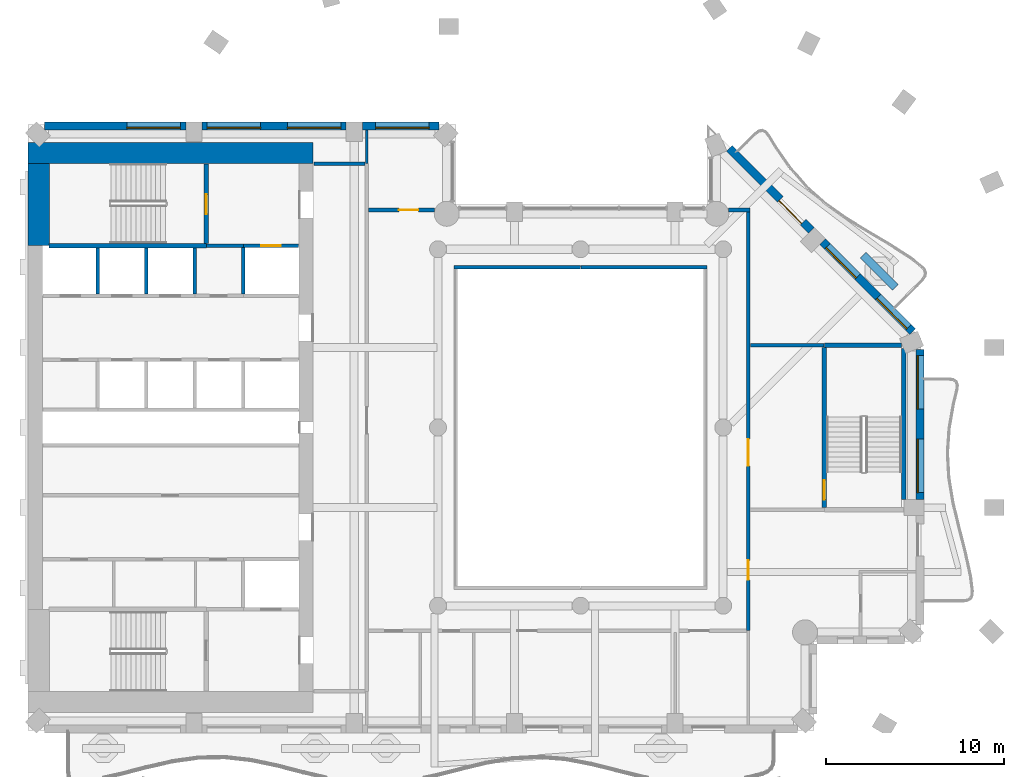
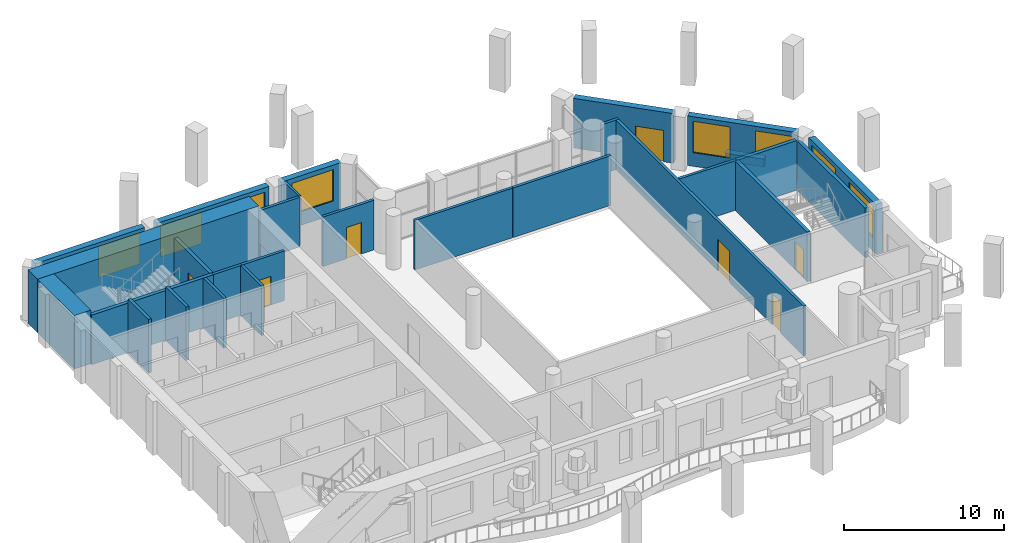
# One storey, part 6 of 14: 28 walls, 8 windows, 7 doors, 15 openings.
"""IFC4 building model written with IfcOpenShell, lengths in metres."""

from ifc_helpers import new_model, si_unit, direction, frame, frame_2d, origin, place, context, subcontext, project, spatial, rectangle, extrude, material, layer, layer_set, type_object, element, fill, save


model = new_model("IFC4")

# Units and contexts
model_context = context("Model", 3, precision=1e-05, world=origin(), true_north=direction((0.0, 1.0)))
body_context = subcontext(model_context, "Body", "Model", "MODEL_VIEW")
ifc_project = project(units=[si_unit("LENGTHUNIT", "METRE"), si_unit("AREAUNIT", "SQUARE_METRE"), si_unit("VOLUMEUNIT", "CUBIC_METRE"), si_unit("PLANEANGLEUNIT", "RADIAN"), si_unit("MASSUNIT", "GRAM", prefix="KILO")], contexts=[model_context])

# Site, building, storey
site_placement = place(None, origin())
site = spatial("IfcSite", under=ifc_project, at=site_placement, CompositionType="ELEMENT")
building_placement = place(site_placement, origin())
building = spatial("IfcBuilding", under=site, at=building_placement, Name="Cypress Arch Tower", CompositionType="ELEMENT")
storey_placement = place(building_placement, frame((0.0, 0.0, 222.0)))
storey = spatial("IfcBuildingStorey", under=building, at=storey_placement, Name="L49", CompositionType="ELEMENT", Elevation=222.0)

# Wall
ifc_material_1 = material(Name="Concrete C40/50, waterproofed", Category="concrete")
ifc_layer_1 = layer(ifc_material_1, 0.449951171875)
ifc_layer_set_1 = layer_set([ifc_layer_1], Name="Balcony planter wall PW450")
wall_type_1 = type_object("IfcWallType", Name="Balcony planter wall PW450", PredefinedType="SOLIDWALL", material=ifc_layer_set_1)
wall_1_placement = place(storey_placement, frame((18.650390625, 7.86376953125, 0.0), z_axis=(0.0, 0.0, 1.0), x_axis=(-0.707059037574, 0.707154521576, 0.0)))
element("IfcWall", 1, at=wall_1_placement, inside=storey, type_object=wall_type_1, Name="Balcony planter wall L49-B05.1", PredefinedType="SOLIDWALL", context=body_context, shape_type="SweptSolid", body=[
    extrude(rectangle(XDim=2.556884765625, YDim=0.449951171875, at=frame_2d((1.2783203125, 0.0))), origin(), (0.0, 0.0, 1.0), 0.60009765625),
])

# Wall, openings, windows
ifc_material_2 = material(Name="Brick (red buff blend)", Category="masonry")
ifc_layer_2 = layer(ifc_material_2, 0.449951171875)
ifc_layer_set_2 = layer_set([ifc_layer_2], Name="Brick pier and spandrel wall BW450")
wall_type_2 = type_object("IfcWallType", Name="Brick pier and spandrel wall BW450", PredefinedType="SOLIDWALL", material=ifc_layer_set_2)
wall_2_placement = place(storey_placement, frame((20.02490234375, -4.050048828125, 0.0), z_axis=(0.0, 0.0, 1.0), x_axis=(0.0, 1.0, 0.0)))
wall_2 = element("IfcWall", 2, at=wall_2_placement, inside=storey, type_object=wall_type_2, Name="Brick wall L49 B04.1", PredefinedType="SOLIDWALL", context=body_context, shape_type="SweptSolid", body=[
    extrude(rectangle(XDim=8.438720703125, YDim=0.449951171875, at=frame_2d((4.21923828125, 0.0))), origin(), (0.0, 0.0, 1.0), 3.800048828125),
])
opening_1_placement = place(wall_2_placement, frame((0.39404296875, 0.0, 1.050048828125)))
opening_1 = element("IfcOpeningElement", 3, at=opening_1_placement, cuts=wall_2, Name="Opening W300OD", PredefinedType="OPENING", context=body_context, shape_type="SweptSolid", body=[
    extrude(rectangle(XDim=3.0, YDim=2.39990234375, at=frame_2d((1.5, 1.199951171875))), frame((0.0, 0.23486328125, 0.0), z_axis=(0.0, -1.0, 0.0), x_axis=(1.0, 0.0, 0.0)), (0.0, 0.0, 1.0), 0.469970703125),
])
opening_2_placement = place(wall_2_placement, frame((5.081787109375, 0.0, 1.050048828125)))
opening_2 = element("IfcOpeningElement", 4, at=opening_2_placement, cuts=wall_2, Name="Opening W300OD", PredefinedType="OPENING", context=body_context, shape_type="SweptSolid", body=[
    extrude(rectangle(XDim=3.0, YDim=2.39990234375, at=frame_2d((1.5, 1.199951171875))), frame((0.0, 0.23486328125, 0.0), z_axis=(0.0, -1.0, 0.0), x_axis=(1.0, 0.0, 0.0)), (0.0, 0.0, 1.0), 0.469970703125),
])
ifc_material_3 = material(Name="Anodised aluminium, bronze finish, laminated low-emissivity double glazing, large-missile impact rated", Category="aluminium")
window_type_1 = type_object("IfcWindowType", Name="Window Office 3000x2400 debris-rated", PartitioningType="SINGLE_PANEL", PredefinedType="WINDOW", material=ifc_material_3)
window_1_placement = place(opening_1_placement, origin())
window_1 = element("IfcWindow", 5, at=window_1_placement, inside=storey, type_object=window_type_1, Name="Window L49 B04.1.1", OverallHeight=2.39990234375, OverallWidth=3.0, PartitioningType="SINGLE_PANEL", PredefinedType="WINDOW", context=body_context, shape_type="SweptSolid", body=[
    extrude(rectangle(XDim=3.0, YDim=2.39990234375, at=frame_2d((1.5, 1.199951171875))), frame((0.0, 0.135009765625, 0.0), z_axis=(0.0, -1.0, 0.0), x_axis=(1.0, 0.0, 0.0)), (0.0, 0.0, 1.0), 0.06005859375),
])
fill(opening_1, window_1)
window_2_placement = place(opening_2_placement, origin())
window_2 = element("IfcWindow", 6, at=window_2_placement, inside=storey, type_object=window_type_1, Name="Window L49 B04.1.2", OverallHeight=2.39990234375, OverallWidth=3.0, PartitioningType="SINGLE_PANEL", PredefinedType="WINDOW", context=body_context, shape_type="SweptSolid", body=[
    extrude(rectangle(XDim=3.0, YDim=2.39990234375, at=frame_2d((1.5, 1.199951171875))), frame((0.0, 0.135009765625, 0.0), z_axis=(0.0, -1.0, 0.0), x_axis=(1.0, 0.0, 0.0)), (0.0, 0.0, 1.0), 0.06005859375),
])
fill(opening_2, window_2)

wall_3_placement = place(storey_placement, frame((19.61474609375, 5.379150390625, 0.0), z_axis=(0.0, 0.0, 1.0), x_axis=(-0.707089646058, 0.7071239159, 0.0)))
wall_3 = element("IfcWall", 7, at=wall_3_placement, inside=storey, type_object=wall_type_2, Name="Brick wall L49 B05.0", PredefinedType="SOLIDWALL", context=body_context, shape_type="SweptSolid", body=[
    extrude(rectangle(XDim=7.1240234375, YDim=0.449951171875, at=frame_2d((3.56201171875, 0.0))), origin(), (0.0, 0.0, 1.0), 3.800048828125),
])
opening_3_placement = place(wall_3_placement, frame((0.328125, 0.0, 1.050048828125)))
opening_3 = element("IfcOpeningElement", 8, at=opening_3_placement, cuts=wall_3, Name="Opening W240OD", PredefinedType="OPENING", context=body_context, shape_type="SweptSolid", body=[
    extrude(rectangle(XDim=2.39990234375, YDim=2.39990234375, at=frame_2d((1.199951171875, 1.199951171875))), frame((0.0, 0.23486328125, 0.0), z_axis=(0.0, -1.0, 0.0), x_axis=(1.0, 0.0, 0.0)), (0.0, 0.0, 1.0), 0.469970703125),
])
opening_4_placement = place(wall_3_placement, frame((4.358642578125, 0.0, 1.050048828125)))
opening_4 = element("IfcOpeningElement", 9, at=opening_4_placement, cuts=wall_3, Name="Opening W240OD", PredefinedType="OPENING", context=body_context, shape_type="SweptSolid", body=[
    extrude(rectangle(XDim=2.39990234375, YDim=2.39990234375, at=frame_2d((1.199951171875, 1.199951171875))), frame((0.0, 0.23486328125, 0.0), z_axis=(0.0, -1.0, 0.0), x_axis=(1.0, 0.0, 0.0)), (0.0, 0.0, 1.0), 0.469970703125),
])
ifc_material_4 = material(Name="Anodised aluminium, bronze finish, laminated low-emissivity double glazing, large-missile impact rated", Category="aluminium")
window_type_2 = type_object("IfcWindowType", Name="Window Office 2400x2400 debris-rated", PartitioningType="SINGLE_PANEL", PredefinedType="WINDOW", material=ifc_material_4)
window_3_placement = place(opening_3_placement, origin())
window_3 = element("IfcWindow", 10, at=window_3_placement, inside=storey, type_object=window_type_2, Name="Window L49 B05.0.1", OverallHeight=2.39990234375, OverallWidth=2.39990234375, PartitioningType="SINGLE_PANEL", PredefinedType="WINDOW", context=body_context, shape_type="SweptSolid", body=[
    extrude(rectangle(XDim=2.39990234375, YDim=2.39990234375, at=frame_2d((1.199951171875, 1.199951171875))), frame((0.0, 0.135009765625, 0.0), z_axis=(0.0, -1.0, 0.0), x_axis=(1.0, 0.0, 0.0)), (0.0, 0.0, 1.0), 0.06005859375),
])
fill(opening_3, window_3)
window_4_placement = place(opening_4_placement, origin())
window_4 = element("IfcWindow", 11, at=window_4_placement, inside=storey, type_object=window_type_2, Name="Window L49 B05.0.2", OverallHeight=2.39990234375, OverallWidth=2.39990234375, PartitioningType="SINGLE_PANEL", PredefinedType="WINDOW", context=body_context, shape_type="SweptSolid", body=[
    extrude(rectangle(XDim=2.39990234375, YDim=2.39990234375, at=frame_2d((1.199951171875, 1.199951171875))), frame((0.0, 0.135009765625, 0.0), z_axis=(0.0, -1.0, 0.0), x_axis=(1.0, 0.0, 0.0)), (0.0, 0.0, 1.0), 0.06005859375),
])
fill(opening_4, window_4)

# Wall, opening, door
wall_4_placement = place(storey_placement, frame((13.94091796875, 11.052978515625, 0.0), z_axis=(0.0, 0.0, 1.0), x_axis=(-0.707106781187, 0.707106781187, 0.0)))
wall_4 = element("IfcWall", 12, at=wall_4_placement, inside=storey, type_object=wall_type_2, Name="Brick wall L49 B05.1", PredefinedType="SOLIDWALL", context=body_context, shape_type="SweptSolid", body=[
    extrude(rectangle(XDim=6.505126953125, YDim=0.449951171875, at=frame_2d((3.25244140625, 0.0))), origin(), (0.0, 0.0, 1.0), 3.800048828125),
])
opening_5_placement = place(wall_4_placement, frame((0.665283203125, 0.0, 0.0)))
opening_5 = element("IfcOpeningElement", 13, at=opening_5_placement, cuts=wall_4, Name="Opening D-L49-B05.1.1", PredefinedType="OPENING", context=body_context, shape_type="SweptSolid", body=[
    extrude(rectangle(XDim=1.800048828125, YDim=2.39990234375, at=frame_2d((0.89990234375, 1.199951171875))), frame((0.0, 0.23486328125, 0.0), z_axis=(0.0, -1.0, 0.0), x_axis=(1.0, 0.0, 0.0)), (0.0, 0.0, 1.0), 0.469970703125),
])
ifc_material_5 = material(Name="Anodised aluminium, bronze finish, laminated low-emissivity double glazing, large-missile impact rated", Category="aluminium")
door_type_1 = type_object("IfcDoorType", Name="Balcony sliding door 1800x2400", OperationType="SLIDING_TO_LEFT", PredefinedType="DOOR", material=ifc_material_5)
door_1_placement = place(opening_5_placement, origin())
door_1 = element("IfcDoor", 14, at=door_1_placement, inside=storey, type_object=door_type_1, Name="Balcony door L49 B05.1.1", OperationType="SLIDING_TO_LEFT", OverallHeight=2.39990234375, OverallWidth=1.800048828125, PredefinedType="DOOR", context=body_context, shape_type="SweptSolid", body=[
    extrude(rectangle(XDim=1.800048828125, YDim=2.39990234375, at=frame_2d((0.89990234375, 1.199951171875))), frame((0.0, 0.1298828125, 0.0), z_axis=(0.0, -1.0, 0.0), x_axis=(1.0, 0.0, 0.0)), (0.0, 0.0, 1.0), 0.050048828125),
])
fill(opening_5, door_1)

# Wall, opening, window
wall_5_placement = place(storey_placement, frame((-6.936279296875, 16.925048828125, 0.0), z_axis=(0.0, 0.0, 1.0), x_axis=(-1.0, 0.0, 0.0)))
wall_5 = element("IfcWall", 15, at=wall_5_placement, inside=storey, type_object=wall_type_2, Name="Brick wall L49 B09.0", PredefinedType="SOLIDWALL", context=body_context, shape_type="SweptSolid", body=[
    extrude(rectangle(XDim=4.313720703125, YDim=0.449951171875, at=frame_2d((2.15673828125, 0.0))), origin(), (0.0, 0.0, 1.0), 3.800048828125),
])
opening_6_placement = place(wall_5_placement, frame((0.563720703125, 0.0, 1.050048828125)))
opening_6 = element("IfcOpeningElement", 16, at=opening_6_placement, cuts=wall_5, Name="Opening W300O", PredefinedType="OPENING", context=body_context, shape_type="SweptSolid", body=[
    extrude(rectangle(XDim=3.0, YDim=2.39990234375, at=frame_2d((1.5, 1.199951171875))), frame((0.0, 0.23486328125, 0.0), z_axis=(0.0, -1.0, 0.0), x_axis=(1.0, 0.0, 0.0)), (0.0, 0.0, 1.0), 0.469970703125),
])
ifc_material_6 = material(Name="Anodised aluminium, bronze finish, clear low-emissivity double glazing", Category="aluminium")
window_type_3 = type_object("IfcWindowType", Name="Window Office 3000x2400", PartitioningType="SINGLE_PANEL", PredefinedType="WINDOW", material=ifc_material_6)
window_5_placement = place(opening_6_placement, origin())
window_5 = element("IfcWindow", 17, at=window_5_placement, inside=storey, type_object=window_type_3, Name="Window L49 B09.0.1", OverallHeight=2.39990234375, OverallWidth=3.0, PartitioningType="SINGLE_PANEL", PredefinedType="WINDOW", context=body_context, shape_type="SweptSolid", body=[
    extrude(rectangle(XDim=3.0, YDim=2.39990234375, at=frame_2d((1.5, 1.199951171875))), frame((0.0, 0.135009765625, 0.0), z_axis=(0.0, -1.0, 0.0), x_axis=(1.0, 0.0, 0.0)), (0.0, 0.0, 1.0), 0.06005859375),
])
fill(opening_6, window_5)

# Wall, openings, windows
wall_6_placement = place(storey_placement, frame((-12.14990234375, 16.925048828125, 0.0), z_axis=(0.0, 0.0, 1.0), x_axis=(-1.0, 0.0, 0.0)))
wall_6 = element("IfcWall", 18, at=wall_6_placement, inside=storey, type_object=wall_type_2, Name="Brick wall L49 B09.1", PredefinedType="SOLIDWALL", context=body_context, shape_type="SweptSolid", body=[
    extrude(rectangle(XDim=8.10009765625, YDim=0.449951171875, at=frame_2d((4.050048828125, 0.0))), origin(), (0.0, 0.0, 1.0), 3.800048828125),
])
opening_7_placement = place(wall_6_placement, frame((0.300048828125, 0.0, 1.050048828125)))
opening_7 = element("IfcOpeningElement", 19, at=opening_7_placement, cuts=wall_6, Name="Opening W300O", PredefinedType="OPENING", context=body_context, shape_type="SweptSolid", body=[
    extrude(rectangle(XDim=3.0, YDim=2.39990234375, at=frame_2d((1.5, 1.199951171875))), frame((0.0, 0.23486328125, 0.0), z_axis=(0.0, -1.0, 0.0), x_axis=(1.0, 0.0, 0.0)), (0.0, 0.0, 1.0), 0.469970703125),
])
opening_8_placement = place(wall_6_placement, frame((4.800048828125, 0.0, 1.050048828125)))
opening_8 = element("IfcOpeningElement", 20, at=opening_8_placement, cuts=wall_6, Name="Opening W300O", PredefinedType="OPENING", context=body_context, shape_type="SweptSolid", body=[
    extrude(rectangle(XDim=3.0, YDim=2.39990234375, at=frame_2d((1.5, 1.199951171875))), frame((0.0, 0.23486328125, 0.0), z_axis=(0.0, -1.0, 0.0), x_axis=(1.0, 0.0, 0.0)), (0.0, 0.0, 1.0), 0.469970703125),
])
window_6_placement = place(opening_7_placement, origin())
window_6 = element("IfcWindow", 21, at=window_6_placement, inside=storey, type_object=window_type_3, Name="Window L49 B09.1.1", OverallHeight=2.39990234375, OverallWidth=3.0, PartitioningType="SINGLE_PANEL", PredefinedType="WINDOW", context=body_context, shape_type="SweptSolid", body=[
    extrude(rectangle(XDim=3.0, YDim=2.39990234375, at=frame_2d((1.5, 1.199951171875))), frame((0.0, 0.135009765625, 0.0), z_axis=(0.0, -1.0, 0.0), x_axis=(1.0, 0.0, 0.0)), (0.0, 0.0, 1.0), 0.06005859375),
])
fill(opening_7, window_6)
window_7_placement = place(opening_8_placement, origin())
window_7 = element("IfcWindow", 22, at=window_7_placement, inside=storey, type_object=window_type_3, Name="Window L49 B09.1.2", OverallHeight=2.39990234375, OverallWidth=3.0, PartitioningType="SINGLE_PANEL", PredefinedType="WINDOW", context=body_context, shape_type="SweptSolid", body=[
    extrude(rectangle(XDim=3.0, YDim=2.39990234375, at=frame_2d((1.5, 1.199951171875))), frame((0.0, 0.135009765625, 0.0), z_axis=(0.0, -1.0, 0.0), x_axis=(1.0, 0.0, 0.0)), (0.0, 0.0, 1.0), 0.06005859375),
])
fill(opening_8, window_7)

# Wall, opening, window
wall_7_placement = place(storey_placement, frame((-21.14990234375, 16.925048828125, 0.0), z_axis=(0.0, 0.0, 1.0), x_axis=(-1.0, 0.0, 0.0)))
wall_7 = element("IfcWall", 23, at=wall_7_placement, inside=storey, type_object=wall_type_2, Name="Brick wall L49 B09.2", PredefinedType="SOLIDWALL", context=body_context, shape_type="SweptSolid", body=[
    extrude(rectangle(XDim=7.913818359375, YDim=0.449951171875, at=frame_2d((3.95703125, 0.0))), origin(), (0.0, 0.0, 1.0), 3.800048828125),
])
opening_9_placement = place(wall_7_placement, frame((0.300048828125, 0.0, 1.050048828125)))
opening_9 = element("IfcOpeningElement", 24, at=opening_9_placement, cuts=wall_7, Name="Opening W300O", PredefinedType="OPENING", context=body_context, shape_type="SweptSolid", body=[
    extrude(rectangle(XDim=3.0, YDim=2.39990234375, at=frame_2d((1.5, 1.199951171875))), frame((0.0, 0.23486328125, 0.0), z_axis=(0.0, -1.0, 0.0), x_axis=(1.0, 0.0, 0.0)), (0.0, 0.0, 1.0), 0.469970703125),
])
window_8_placement = place(opening_9_placement, origin())
window_8 = element("IfcWindow", 25, at=window_8_placement, inside=storey, type_object=window_type_3, Name="Window L49 B09.2.1", OverallHeight=2.39990234375, OverallWidth=3.0, PartitioningType="SINGLE_PANEL", PredefinedType="WINDOW", context=body_context, shape_type="SweptSolid", body=[
    extrude(rectangle(XDim=3.0, YDim=2.39990234375, at=frame_2d((1.5, 1.199951171875))), frame((0.0, 0.135009765625, 0.0), z_axis=(0.0, -1.0, 0.0), x_axis=(1.0, 0.0, 0.0)), (0.0, 0.0, 1.0), 0.06005859375),
])
fill(opening_9, window_8)

# Walls
ifc_material_7 = material(Name="Concrete C70/85", Category="concrete")
ifc_layer_3 = layer(ifc_material_7, 1.199951171875)
ifc_layer_set_3 = layer_set([ifc_layer_3], Name="Core wall CW1200 C70/85")
wall_type_3 = type_object("IfcWallType", Name="Core wall CW1200 C70/85", PredefinedType="SHEAR", material=ifc_layer_set_3)
wall_8_placement = place(storey_placement, frame((-30.0, 15.39990234375, 0.0), z_axis=(0.0, 0.0, 1.0), x_axis=(1.0, 0.0, 0.0)))
element("IfcWall", 26, at=wall_8_placement, inside=storey, type_object=wall_type_3, Name="Core wall", PredefinedType="SHEAR", context=body_context, shape_type="SweptSolid", body=[
    extrude(rectangle(XDim=16.0, YDim=1.199951171875, at=frame_2d((8.0, 0.0))), origin(), (0.0, 0.0, 1.0), 4.10009765625),
])
wall_9_placement = place(storey_placement, frame((-29.39990234375, 10.199951171875, 0.0), z_axis=(0.0, 0.0, 1.0), x_axis=(0.0, 1.0, 0.0)))
element("IfcWall", 27, at=wall_9_placement, inside=storey, type_object=wall_type_3, Name="Core wall", PredefinedType="SHEAR", context=body_context, shape_type="SweptSolid", body=[
    extrude(rectangle(XDim=4.60009765625, YDim=1.199951171875, at=frame_2d((2.300048828125, 0.0))), origin(), (0.0, 0.0, 1.0), 4.10009765625),
])
ifc_material_8 = material(Name="Concrete blockwork, plastered, rated", Category="masonry")
ifc_layer_4 = layer(ifc_material_8, 0.199951171875)
ifc_layer_set_4 = layer_set([ifc_layer_4], Name="Corridor wall FW200")
wall_type_4 = type_object("IfcWallType", Name="Corridor wall FW200", PredefinedType="PARTITIONING", material=ifc_layer_set_4)
wall_10_placement = place(storey_placement, frame((-13.969970703125, 14.800048828125, 0.0), z_axis=(0.0, 0.0, 1.0), x_axis=(1.0, 0.0, 0.0)))
element("IfcWall", 28, at=wall_10_placement, inside=storey, type_object=wall_type_4, Name="Corridor wall", PredefinedType="PARTITIONING", context=body_context, shape_type="SweptSolid", body=[
    extrude(rectangle(XDim=2.869873046875, YDim=0.199951171875, at=frame_2d((1.43505859375, 0.0))), origin(), (0.0, 0.0, 1.0), 3.800048828125),
])

# Wall, opening, door
wall_11_placement = place(storey_placement, frame((-10.89990234375, 12.199951171875, 0.0), z_axis=(0.0, 0.0, 1.0), x_axis=(1.0, 0.0, 0.0)))
wall_11 = element("IfcWall", 29, at=wall_11_placement, inside=storey, type_object=wall_type_4, Name="Corridor wall", PredefinedType="PARTITIONING", context=body_context, shape_type="SweptSolid", body=[
    extrude(rectangle(XDim=3.7041015625, YDim=0.199951171875, at=frame_2d((1.85205078125, 0.0))), origin(), (0.0, 0.0, 1.0), 3.800048828125),
])
opening_10_placement = place(wall_11_placement, frame((1.699951171875, 0.0, 0.0)))
opening_10 = element("IfcOpeningElement", 30, at=opening_10_placement, cuts=wall_11, Name="Opening D01", PredefinedType="OPENING", context=body_context, shape_type="SweptSolid", body=[
    extrude(rectangle(XDim=1.10009765625, YDim=2.39990234375, at=frame_2d((0.550048828125, 1.199951171875))), frame((0.0, 0.10986328125, 0.0), z_axis=(0.0, -1.0, 0.0), x_axis=(1.0, 0.0, 0.0)), (0.0, 0.0, 1.0), 0.219970703125),
])
ifc_material_9 = material(Name="Timber flush door, fire resisting, self-closing", Category="wood")
door_type_2 = type_object("IfcDoorType", Name="Unit entrance door D01 1100x2400", OperationType="SINGLE_SWING_LEFT", PredefinedType="DOOR", material=ifc_material_9)
door_2_placement = place(opening_10_placement, origin())
door_2 = element("IfcDoor", 31, at=door_2_placement, inside=storey, type_object=door_type_2, Name="Unit entrance door", OperationType="SINGLE_SWING_RIGHT", OverallHeight=2.39990234375, OverallWidth=1.10009765625, PredefinedType="DOOR", context=body_context, shape_type="SweptSolid", body=[
    extrude(rectangle(XDim=1.10009765625, YDim=2.39990234375, at=frame_2d((0.550048828125, 1.199951171875))), frame((0.0, 0.02490234375, 0.0), z_axis=(0.0, -1.0, 0.0), x_axis=(1.0, 0.0, 0.0)), (0.0, 0.0, 1.0), 0.050048828125),
])
fill(opening_10, door_2)

# Walls
for number, where, z_axis, x_axis, name in (
    (32, (-6.10009765625, 9.0, 0.0), (0.0, 0.0, 1.0), (1.0, 0.0, 0.0), "Corridor wall"),
    (33, (1.02001953125, 9.0, 0.0), (0.0, 0.0, 1.0), (1.0, 0.0, 0.0), "Corridor wall"),
):
    element("IfcWall", number, at=place(storey_placement, frame(where, z_axis=z_axis, x_axis=x_axis)), inside=storey, type_object=wall_type_4, Name=name, PredefinedType="PARTITIONING", context=body_context, shape_type="SweptSolid", body=[
        extrude(rectangle(XDim=7.080078125, YDim=0.199951171875, at=frame_2d((3.5400390625, 0.0))), origin(), (0.0, 0.0, 1.0), 3.800048828125),
    ])
wall_12_placement = place(storey_placement, frame((9.295654296875, 12.199951171875, 0.0), z_axis=(0.0, 0.0, 1.0), x_axis=(1.0, 0.0, 0.0)))
element("IfcWall", 34, at=wall_12_placement, inside=storey, type_object=wall_type_4, Name="Corridor wall", PredefinedType="PARTITIONING", context=body_context, shape_type="SweptSolid", body=[
    extrude(rectangle(XDim=1.204345703125, YDim=0.199951171875, at=frame_2d((0.60205078125, 0.0))), origin(), (0.0, 0.0, 1.0), 3.800048828125),
])

# Wall, openings, doors
wall_13_placement = place(storey_placement, frame((10.39990234375, -11.39990234375, 0.0), z_axis=(0.0, 0.0, 1.0), x_axis=(0.0, 1.0, 0.0)))
wall_13 = element("IfcWall", 35, at=wall_13_placement, inside=storey, type_object=wall_type_4, Name="Corridor wall", PredefinedType="PARTITIONING", context=body_context, shape_type="SweptSolid", body=[
    extrude(rectangle(XDim=23.5, YDim=0.199951171875, at=frame_2d((11.75, 0.0))), origin(), (0.0, 0.0, 1.0), 3.800048828125),
])
opening_11_placement = place(wall_13_placement, frame((9.25, 0.0, 0.0)))
opening_11 = element("IfcOpeningElement", 36, at=opening_11_placement, cuts=wall_13, Name="Opening D07", PredefinedType="OPENING", context=body_context, shape_type="SweptSolid", body=[
    extrude(rectangle(XDim=1.5, YDim=2.39990234375, at=frame_2d((0.75, 1.199951171875))), frame((0.0, 0.10986328125, 0.0), z_axis=(0.0, -1.0, 0.0), x_axis=(1.0, 0.0, 0.0)), (0.0, 0.0, 1.0), 0.219970703125),
])
opening_12_placement = place(wall_13_placement, frame((2.85009765625, 0.0, 0.0)))
opening_12 = element("IfcOpeningElement", 37, at=opening_12_placement, cuts=wall_13, Name="Opening D01", PredefinedType="OPENING", context=body_context, shape_type="SweptSolid", body=[
    extrude(rectangle(XDim=1.10009765625, YDim=2.39990234375, at=frame_2d((0.550048828125, 1.199951171875))), frame((0.0, 0.10986328125, 0.0), z_axis=(0.0, -1.0, 0.0), x_axis=(1.0, 0.0, 0.0)), (0.0, 0.0, 1.0), 0.219970703125),
])
ifc_material_10 = material(Name="Steel framed glazed door, fire resisting", Category="steel")
door_type_3 = type_object("IfcDoorType", Name="Lobby door D07 1500x2400", OperationType="DOUBLE_DOOR_SINGLE_SWING", PredefinedType="DOOR", material=ifc_material_10)
door_3_placement = place(opening_11_placement, origin())
door_3 = element("IfcDoor", 38, at=door_3_placement, inside=storey, type_object=door_type_3, Name="Lobby door", OperationType="DOUBLE_DOOR_SINGLE_SWING", OverallHeight=2.39990234375, OverallWidth=1.5, PredefinedType="DOOR", context=body_context, shape_type="SweptSolid", body=[
    extrude(rectangle(XDim=1.5, YDim=2.39990234375, at=frame_2d((0.75, 1.199951171875))), frame((0.0, 0.02490234375, 0.0), z_axis=(0.0, -1.0, 0.0), x_axis=(1.0, 0.0, 0.0)), (0.0, 0.0, 1.0), 0.050048828125),
])
fill(opening_11, door_3)
door_4_placement = place(opening_12_placement, origin())
door_4 = element("IfcDoor", 39, at=door_4_placement, inside=storey, type_object=door_type_2, Name="Unit entrance door", OperationType="SINGLE_SWING_LEFT", OverallHeight=2.39990234375, OverallWidth=1.10009765625, PredefinedType="DOOR", context=body_context, shape_type="SweptSolid", body=[
    extrude(rectangle(XDim=1.10009765625, YDim=2.39990234375, at=frame_2d((0.550048828125, 1.199951171875))), frame((0.0, 0.02490234375, 0.0), z_axis=(0.0, -1.0, 0.0), x_axis=(1.0, 0.0, 0.0)), (0.0, 0.0, 1.0), 0.050048828125),
])
fill(opening_12, door_4)

# Walls
wall_14_placement = place(storey_placement, frame((10.52001953125, 4.625, 0.0), z_axis=(0.0, 0.0, 1.0), x_axis=(1.0, 0.0, 0.0)))
element("IfcWall", 40, at=wall_14_placement, inside=storey, type_object=wall_type_4, Name="Corridor wall", PredefinedType="PARTITIONING", context=body_context, shape_type="SweptSolid", body=[
    extrude(rectangle(XDim=4.135009765625, YDim=0.199951171875, at=frame_2d((2.0673828125, 0.0))), origin(), (0.0, 0.0, 1.0), 3.800048828125),
])
ifc_material_11 = material(Name="Blockwork, plastered both sides", Category="masonry")
ifc_layer_5 = layer(ifc_material_11, 0.14990234375)
ifc_layer_set_5 = layer_set([ifc_layer_5], Name="Partition PW150")
wall_type_5 = type_object("IfcWallType", Name="Partition PW150", PredefinedType="PARTITIONING", material=ifc_layer_set_5)
wall_15_placement = place(storey_placement, frame((-11.0, 14.820068359375, 0.0), z_axis=(0.0, 0.0, 1.0), x_axis=(0.0, 1.0, 0.0)))
element("IfcWall", 41, at=wall_15_placement, inside=storey, type_object=wall_type_5, Name="Partition", PredefinedType="PARTITIONING", context=body_context, shape_type="SweptSolid", body=[
    extrude(rectangle(XDim=1.8798828125, YDim=0.14990234375, at=frame_2d((0.93994140625, 0.0))), origin(), (0.0, 0.0, 1.0), 3.800048828125),
])
ifc_material_12 = material(Name="Reinforced blockwork, plastered, rated", Category="masonry")
ifc_layer_6 = layer(ifc_material_12, 0.199951171875)
ifc_layer_set_6 = layer_set([ifc_layer_6], Name="Plant and riser wall PL200")
wall_type_6 = type_object("IfcWallType", Name="Plant and riser wall PL200", PredefinedType="PARTITIONING", material=ifc_layer_set_6)
wall_16_placement = place(storey_placement, frame((-20.0, 10.199951171875, 0.0), z_axis=(0.0, 0.0, 1.0), x_axis=(1.0, 0.0, 0.0)))
element("IfcWall", 42, at=wall_16_placement, inside=storey, type_object=wall_type_6, Name="Plant and riser wall", PredefinedType="PARTITIONING", context=body_context, shape_type="SweptSolid", body=[
    extrude(rectangle(XDim=2.080078125, YDim=0.199951171875, at=frame_2d((1.0400390625, 0.0))), origin(), (0.0, 0.0, 1.0), 3.800048828125),
])
ifc_material_13 = material(Name="Concrete C50/60", Category="concrete")
ifc_layer_7 = layer(ifc_material_13, 0.199951171875)
ifc_layer_set_7 = layer_set([ifc_layer_7], Name="Shaft wall SH200")
wall_type_7 = type_object("IfcWallType", Name="Shaft wall SH200", PredefinedType="SHEAR", material=ifc_layer_set_7)
for number, where, z_axis, x_axis, name in (
    (43, (-26.080078125, 7.5, 0.0), (0.0, 0.0, 1.0), (0.0, 1.0, 0.0), "Shaft wall"),
    (44, (-23.360107421875, 7.5, 0.0), (0.0, 0.0, 1.0), (0.0, 1.0, 0.0), "Shaft wall"),
):
    element("IfcWall", number, at=place(storey_placement, frame(where, z_axis=z_axis, x_axis=x_axis)), inside=storey, type_object=wall_type_7, Name=name, PredefinedType="SHEAR", context=body_context, shape_type="SweptSolid", body=[
        extrude(rectangle(XDim=2.574951171875, YDim=0.199951171875, at=frame_2d((1.28759765625, 0.0))), origin(), (0.0, 0.0, 1.0), 4.10009765625),
    ])
wall_17_placement = place(storey_placement, frame((-20.639892578125, 7.5, 0.0), z_axis=(0.0, 0.0, 1.0), x_axis=(0.0, 1.0, 0.0)))
element("IfcWall", 45, at=wall_17_placement, inside=storey, type_object=wall_type_7, Name="Shaft wall", PredefinedType="SHEAR", context=body_context, shape_type="SweptSolid", body=[
    extrude(rectangle(XDim=2.574951171875, YDim=0.199951171875, at=frame_2d((1.28759765625, 0.0))), origin(), (0.0, 0.0, 1.0), 3.800048828125),
])
wall_18_placement = place(storey_placement, frame((-17.919921875, 7.5, 0.0), z_axis=(0.0, 0.0, 1.0), x_axis=(0.0, 1.0, 0.0)))
element("IfcWall", 46, at=wall_18_placement, inside=storey, type_object=wall_type_7, Name="Shaft wall", PredefinedType="SHEAR", context=body_context, shape_type="SweptSolid", body=[
    extrude(rectangle(XDim=2.60009765625, YDim=0.199951171875, at=frame_2d((1.300048828125, 0.0))), origin(), (0.0, 0.0, 1.0), 3.800048828125),
])

# Wall, opening, door
wall_19_placement = place(storey_placement, frame((-17.919921875, 10.199951171875, 0.0), z_axis=(0.0, 0.0, 1.0), x_axis=(1.0, 0.0, 0.0)))
wall_19 = element("IfcWall", 47, at=wall_19_placement, inside=storey, type_object=wall_type_7, Name="Shaft wall", PredefinedType="SHEAR", context=body_context, shape_type="SweptSolid", body=[
    extrude(rectangle(XDim=3.08984375, YDim=0.199951171875, at=frame_2d((1.544921875, 0.0))), origin(), (0.0, 0.0, 1.0), 3.800048828125),
])
opening_13_placement = place(wall_19_placement, frame((1.0, 0.0, 0.0)))
opening_13 = element("IfcOpeningElement", 48, at=opening_13_placement, cuts=wall_19, Name="Opening LD-FL2", PredefinedType="OPENING", context=body_context, shape_type="SweptSolid", body=[
    extrude(rectangle(XDim=1.10009765625, YDim=2.199951171875, at=frame_2d((0.550048828125, 1.10009765625))), frame((0.0, 0.10986328125, 0.0), z_axis=(0.0, -1.0, 0.0), x_axis=(1.0, 0.0, 0.0)), (0.0, 0.0, 1.0), 0.219970703125),
])
ifc_material_14 = material(Name="Stainless steel centre-opening landing door, rated", Category="steel")
door_type_4 = type_object("IfcDoorType", Name="Lift landing door LD 1100x2200", OperationType="DOUBLE_DOOR_SLIDING", PredefinedType="DOOR", material=ifc_material_14)
door_5_placement = place(opening_13_placement, origin())
door_5 = element("IfcDoor", 49, at=door_5_placement, inside=storey, type_object=door_type_4, Name="Lift landing doors FL2", OperationType="DOUBLE_DOOR_SLIDING", OverallHeight=2.199951171875, OverallWidth=1.10009765625, PredefinedType="DOOR", context=body_context, shape_type="SweptSolid", body=[
    extrude(rectangle(XDim=1.10009765625, YDim=2.199951171875, at=frame_2d((0.550048828125, 1.10009765625))), frame((0.0, 0.02490234375, 0.0), z_axis=(0.0, -1.0, 0.0), x_axis=(1.0, 0.0, 0.0)), (0.0, 0.0, 1.0), 0.050048828125),
])
fill(opening_13, door_5)

# Wall
ifc_material_15 = material(Name="Concrete C50/60", Category="concrete")
ifc_layer_8 = layer(ifc_material_15, 0.25)
ifc_layer_set_8 = layer_set([ifc_layer_8], Name="Stair enclosure wall SW250")
wall_type_8 = type_object("IfcWallType", Name="Stair enclosure wall SW250", PredefinedType="SHEAR", material=ifc_layer_set_8)
wall_20_placement = place(storey_placement, frame((-28.81005859375, 10.199951171875, 0.0), z_axis=(0.0, 0.0, 1.0), x_axis=(1.0, 0.0, 0.0)))
element("IfcWall", 50, at=wall_20_placement, inside=storey, type_object=wall_type_8, Name="Stair enclosure wall", PredefinedType="SHEAR", context=body_context, shape_type="SweptSolid", body=[
    extrude(rectangle(XDim=8.81005859375, YDim=0.25, at=frame_2d((4.405029296875, 0.0))), origin(), (0.0, 0.0, 1.0), 3.800048828125),
])

# Wall, opening, door
wall_21_placement = place(storey_placement, frame((-20.0, 10.324951171875, 0.0), z_axis=(0.0, 0.0, 1.0), x_axis=(0.0, 1.0, 0.0)))
wall_21 = element("IfcWall", 51, at=wall_21_placement, inside=storey, type_object=wall_type_8, Name="Stair enclosure wall", PredefinedType="SHEAR", context=body_context, shape_type="SweptSolid", body=[
    extrude(rectangle(XDim=4.445068359375, YDim=0.25, at=frame_2d((2.22265625, 0.0))), origin(), (0.0, 0.0, 1.0), 3.800048828125),
])
opening_14_placement = place(wall_21_placement, frame((1.64990234375, 0.0, 0.0)))
opening_14 = element("IfcOpeningElement", 52, at=opening_14_placement, cuts=wall_21, Name="Opening D06", PredefinedType="OPENING", context=body_context, shape_type="SweptSolid", body=[
    extrude(rectangle(XDim=1.10009765625, YDim=2.199951171875, at=frame_2d((0.550048828125, 1.10009765625))), frame((0.0, 0.135009765625, 0.0), z_axis=(0.0, -1.0, 0.0), x_axis=(1.0, 0.0, 0.0)), (0.0, 0.0, 1.0), 0.27001953125),
])
ifc_material_16 = material(Name="Steel door, fire resisting, panic bar", Category="steel")
door_type_5 = type_object("IfcDoorType", Name="Stair door D06 1100x2200", OperationType="SINGLE_SWING_LEFT", PredefinedType="DOOR", material=ifc_material_16)
door_6_placement = place(opening_14_placement, origin())
door_6 = element("IfcDoor", 53, at=door_6_placement, inside=storey, type_object=door_type_5, Name="Stair door", OperationType="SINGLE_SWING_LEFT", OverallHeight=2.199951171875, OverallWidth=1.10009765625, PredefinedType="DOOR", context=body_context, shape_type="SweptSolid", body=[
    extrude(rectangle(XDim=1.10009765625, YDim=2.199951171875, at=frame_2d((0.550048828125, 1.10009765625))), frame((0.0, 0.02490234375, 0.0), z_axis=(0.0, -1.0, 0.0), x_axis=(1.0, 0.0, 0.0)), (0.0, 0.0, 1.0), 0.050048828125),
])
fill(opening_14, door_6)

wall_22_placement = place(storey_placement, frame((14.675048828125, -4.5, 0.0), z_axis=(0.0, 0.0, 1.0), x_axis=(0.0, 1.0, 0.0)))
wall_22 = element("IfcWall", 54, at=wall_22_placement, inside=storey, type_object=wall_type_8, Name="Stair enclosure wall", PredefinedType="SHEAR", context=body_context, shape_type="SweptSolid", body=[
    extrude(rectangle(XDim=9.0, YDim=0.25, at=frame_2d((4.5, 0.0))), origin(), (0.0, 0.0, 1.0), 3.800048828125),
])
opening_15_placement = place(wall_22_placement, frame((0.449951171875, 0.0, 0.0)))
opening_15 = element("IfcOpeningElement", 55, at=opening_15_placement, cuts=wall_22, Name="Opening D06", PredefinedType="OPENING", context=body_context, shape_type="SweptSolid", body=[
    extrude(rectangle(XDim=1.10009765625, YDim=2.199951171875, at=frame_2d((0.550048828125, 1.10009765625))), frame((0.0, 0.135009765625, 0.0), z_axis=(0.0, -1.0, 0.0), x_axis=(1.0, 0.0, 0.0)), (0.0, 0.0, 1.0), 0.27001953125),
])
door_7_placement = place(opening_15_placement, origin())
door_7 = element("IfcDoor", 56, at=door_7_placement, inside=storey, type_object=door_type_5, Name="Stair door", OperationType="SINGLE_SWING_RIGHT", OverallHeight=2.199951171875, OverallWidth=1.10009765625, PredefinedType="DOOR", context=body_context, shape_type="SweptSolid", body=[
    extrude(rectangle(XDim=1.10009765625, YDim=2.199951171875, at=frame_2d((0.550048828125, 1.10009765625))), frame((0.0, 0.02490234375, 0.0), z_axis=(0.0, -1.0, 0.0), x_axis=(1.0, 0.0, 0.0)), (0.0, 0.0, 1.0), 0.050048828125),
])
fill(opening_15, door_7)

# Walls
wall_23_placement = place(storey_placement, frame((14.675048828125, 4.625, 0.0), z_axis=(0.0, 0.0, 1.0), x_axis=(1.0, 0.0, 0.0)))
element("IfcWall", 57, at=wall_23_placement, inside=storey, type_object=wall_type_8, Name="Stair enclosure wall", PredefinedType="SHEAR", context=body_context, shape_type="SweptSolid", body=[
    extrude(rectangle(XDim=4.32373046875, YDim=0.25, at=frame_2d((2.161865234375, 0.0))), origin(), (0.0, 0.0, 1.0), 3.800048828125),
])
wall_24_placement = place(storey_placement, frame((19.125, -4.050048828125, 0.0), z_axis=(0.0, 0.0, 1.0), x_axis=(0.0, 1.0, 0.0)))
element("IfcWall", 58, at=wall_24_placement, inside=storey, type_object=wall_type_8, Name="Stair enclosure wall", PredefinedType="SHEAR", context=body_context, shape_type="SweptSolid", body=[
    extrude(rectangle(XDim=8.4765625, YDim=0.25, at=frame_2d((4.23828125, 0.0))), origin(), (0.0, 0.0, 1.0), 3.800048828125),
])

save(model, "model.ifc")
